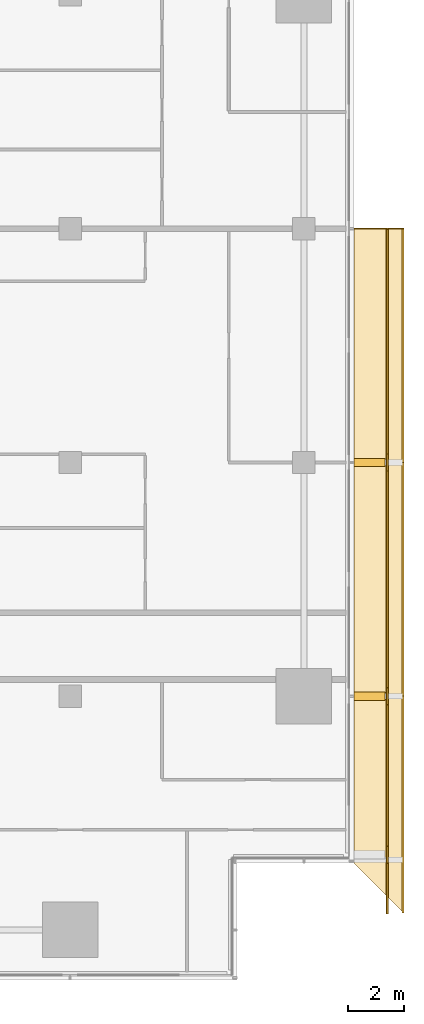
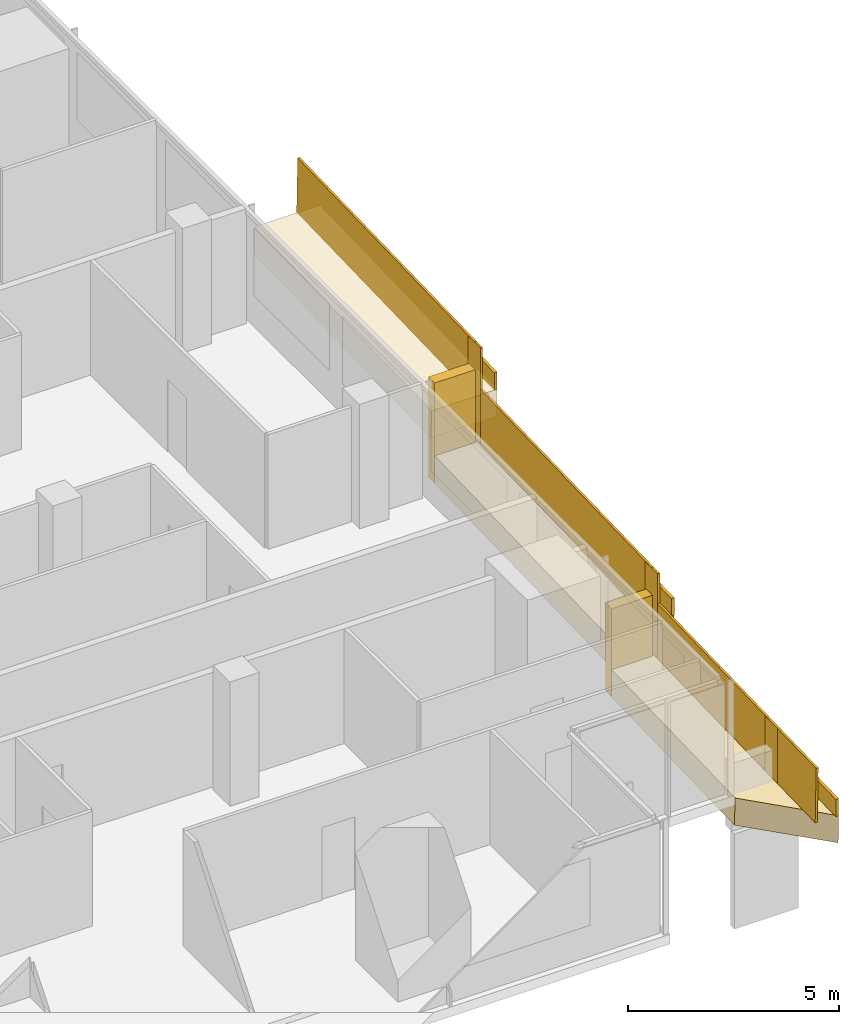
# One storey, part 25 of 25: 8 coverings, 6 railings.
"""IFC4 building model written with IfcOpenShell, lengths in metres."""

from ifc_helpers import new_model, si_unit, direction, frame, origin, origin_2d, place, context, subcontext, project, spatial, polyline, rectangle, outline, extrude, material, layer, layer_set, type_object, element, save


model = new_model("IFC4")

# Units and contexts
model_context = context("Model", 3, precision=1e-05, world=origin(), true_north=direction((0.0, 1.0)))
body_context = subcontext(model_context, "Body", "Model", "MODEL_VIEW")
ifc_project = project(units=[si_unit("LENGTHUNIT", "METRE"), si_unit("AREAUNIT", "SQUARE_METRE"), si_unit("VOLUMEUNIT", "CUBIC_METRE"), si_unit("PLANEANGLEUNIT", "RADIAN"), si_unit("MASSUNIT", "GRAM", prefix="KILO")], contexts=[model_context])

# Site, building, storey
site_placement = place(None, origin())
site = spatial("IfcSite", under=ifc_project, at=site_placement, CompositionType="ELEMENT")
building_placement = place(site_placement, origin())
building = spatial("IfcBuilding", under=site, at=building_placement, Name="Saffron Gate Tower", CompositionType="ELEMENT")
storey_placement = place(building_placement, frame((0.0, 0.0, 131.25)))
storey = spatial("IfcBuildingStorey", under=building, at=storey_placement, Name="L31", CompositionType="ELEMENT", Elevation=131.25)

# Coverings
ifc_material = material(Name="Timber, thermally modified ash", Category="wood")
ifc_layer_1 = layer(ifc_material, 0.800048828125)
ifc_layer_set_1 = layer_set([ifc_layer_1], Name="LD1 ledge timber")
covering_type_1 = type_object("IfcCoveringType", Name="LD1 ledge timber", PredefinedType="CLADDING", material=ifc_layer_set_1)
covering_1_placement = place(storey_placement, frame((127.199951171875, 34.199951171875, -0.07177734375), z_axis=(-2.391759e-05, -0.028789477025, 0.999585496814), x_axis=(1.72e-10, 0.9995854971, 0.028789477033)))
element("IfcCovering", 1, at=covering_1_placement, inside=storey, type_object=covering_type_1, Name="LEDGE", PredefinedType="CLADDING", context=body_context, shape_type="SweptSolid", body=[
    extrude(outline(polyline([(0.0, 0.0), (6.002489288687248, -8.470329472543003e-22), (6.002489288996045, -1.8000488276101398), (-1.800792782710612, -1.8000488299785034), (0.0, 0.0)])), origin(), (0.0, 0.0, -1.0), 0.800048828125),
])
covering_2_placement = place(storey_placement, frame((127.199951171875, 40.199951171875, 0.95849609375), z_axis=(0.0, -0.028790339263, 0.999585472266), x_axis=(0.0, 0.999585472266, 0.028790339263)))
element("IfcCovering", 2, at=covering_2_placement, inside=storey, type_object=covering_type_1, Name="LEDGE", PredefinedType="CLADDING", context=body_context, shape_type="SweptSolid", body=[
    extrude(outline(polyline([(0.0, 0.0), (8.403630022085892, 0.0), (8.403630022085892, -1.800048828125), (0.0, -1.800048828125), (0.0, 0.0)])), origin(), (0.0, 0.0, -1.0), 0.800048828125),
])
covering_3_placement = place(storey_placement, frame((127.199951171875, 48.60009765625, 2.40087890625), z_axis=(0.0, -0.028791175352, 0.999585448184), x_axis=(0.0, 0.999585448184, 0.028791175352)))
element("IfcCovering", 3, at=covering_3_placement, inside=storey, type_object=covering_type_1, Name="LEDGE", PredefinedType="CLADDING", context=body_context, shape_type="SweptSolid", body=[
    extrude(outline(polyline([(0.0, 0.0), (8.403385982666892, 0.0), (8.403385982666892, -1.800048828125), (0.0, -1.800048828125), (0.0, 0.0)])), origin(), (0.0, 0.0, -1.0), 0.800048828125),
])
ifc_layer_2 = layer(ifc_material, 0.080078125)
ifc_layer_set_2 = layer_set([ifc_layer_2], Name="LD2 ledge planter trough")
covering_type_2 = type_object("IfcCoveringType", Name="LD2 ledge planter trough", PredefinedType="CLADDING", material=ifc_layer_set_2)
covering_4_placement = place(storey_placement, frame((129.0, 32.39990234375, -0.12353515625), z_axis=(1.0, 0.0, 0.0), x_axis=(0.0, 0.999585655924, 0.028783962047)))
element("IfcCovering", 4, at=covering_4_placement, inside=storey, type_object=covering_type_2, Name="LEDGE planter trough", PredefinedType="CLADDING", context=body_context, shape_type="SweptSolid", body=[
    extrude(outline(polyline([(0.0, 0.0), (7.803282071825423, 2.7755575615628914e-17), (7.817674052849086, 0.4997928279619612), (0.014391981023662846, 0.4997928279619612), (0.0, 0.0)])), origin(), (0.0, 0.0, -1.0), 0.080078125),
])
covering_5_placement = place(storey_placement, frame((129.0, 40.199951171875, 0.95849609375), z_axis=(1.0, 0.0, 0.0), x_axis=(0.0, 0.999585472266, 0.028790339263)))
element("IfcCovering", 5, at=covering_5_placement, inside=storey, type_object=covering_type_2, Name="LEDGE planter trough", PredefinedType="CLADDING", context=body_context, shape_type="SweptSolid", body=[
    extrude(outline(polyline([(0.0, 0.0), (8.403630022085892, 0.0), (8.418025191717298, 0.4997927361329725), (0.014395169631405694, 0.4997927361329725), (0.0, 0.0)])), origin(), (0.0, 0.0, -1.0), 0.080078125),
])
covering_6_placement = place(storey_placement, frame((129.0, 48.60009765625, 2.40087890625), z_axis=(1.0, 0.0, 0.0), x_axis=(0.0, 0.999585448184, 0.028791175352)))
element("IfcCovering", 6, at=covering_6_placement, inside=storey, type_object=covering_type_2, Name="LEDGE planter trough", PredefinedType="CLADDING", context=body_context, shape_type="SweptSolid", body=[
    extrude(outline(polyline([(0.0, 0.0), (8.403385982666892, 0.0), (8.417781570342743, 0.49979272409216496), (0.014395587675851172, 0.4997927240921649), (0.0, 0.0)])), origin(), (0.0, 0.0, -1.0), 0.080078125),
])
ifc_layer_3 = layer(ifc_material, 0.300048828125)
ifc_layer_set_3 = layer_set([ifc_layer_3], Name="LD3 ledge riser fin")
covering_type_3 = type_object("IfcCoveringType", Name="LD3 ledge riser fin", PredefinedType="CLADDING", material=ifc_layer_set_3)
covering_7_placement = place(storey_placement, frame((127.760009765625, 40.199951171875, -0.69873046875), z_axis=(0.0, 0.0, 1.0), x_axis=(0.0, 1.0, 0.0)))
element("IfcCovering", 7, at=covering_7_placement, inside=storey, type_object=covering_type_3, Name="LEDGE riser fin", PredefinedType="CLADDING", context=body_context, shape_type="SweptSolid", body=[
    extrude(rectangle(XDim=0.300048828125, YDim=1.1201171875, at=origin_2d()), origin(), (0.0, 0.0, 1.0), 2.557373046875),
])
covering_8_placement = place(storey_placement, frame((127.760009765625, 48.60009765625, 0.400390625), z_axis=(0.0, 0.0, 1.0), x_axis=(0.0, 1.0, 0.0)))
element("IfcCovering", 8, at=covering_8_placement, inside=storey, type_object=covering_type_3, Name="LEDGE riser fin", PredefinedType="CLADDING", context=body_context, shape_type="SweptSolid", body=[
    extrude(rectangle(XDim=0.300048828125, YDim=1.1201171875, at=origin_2d()), origin(), (0.0, 0.0, 1.0), 2.900390625),
])

# Railings
railing_type = type_object("IfcRailingType", Name="LG1 ledge balustrade", PredefinedType="BALUSTRADE", material=ifc_material)
railing_1_placement = place(storey_placement, frame((128.39990234375, 32.39990234375, -0.12353515625)))
element("IfcRailing", 9, at=railing_1_placement, inside=storey, type_object=railing_type, Name="LEDGE BALUSTRADE", PredefinedType="BALUSTRADE", context=body_context, shape_type="SweptSolid", body=[
    extrude(rectangle(XDim=0.06005859375, YDim=1.60009765625, at=origin_2d()), frame((0.0, 0.0, 0.800048828125), z_axis=(0.0, 0.999585655924, 0.028783962047), x_axis=(-1.0, 0.0, 0.0)), (0.0, 0.0, 1.0), 7.80322265625),
])
railing_2_placement = place(storey_placement, frame((128.39990234375, 34.199951171875, -0.3291015625)))
element("IfcRailing", 10, at=railing_2_placement, inside=storey, type_object=railing_type, Name="LEDGE BALUSTRADE", PredefinedType="BALUSTRADE", context=body_context, shape_type="SweptSolid", body=[
    extrude(rectangle(XDim=0.06005859375, YDim=1.857177734375, at=origin_2d()), frame((0.0, 0.0, 0.9287109375), z_axis=(0.0, 1.0, 0.0), x_axis=(-1.0, 0.0, 0.0)), (0.0, 0.0, 1.0), 0.60009765625),
])
railing_3_placement = place(storey_placement, frame((128.39990234375, 40.199951171875, 0.95849609375)))
element("IfcRailing", 11, at=railing_3_placement, inside=storey, type_object=railing_type, Name="LEDGE BALUSTRADE", PredefinedType="BALUSTRADE", context=body_context, shape_type="SweptSolid", body=[
    extrude(rectangle(XDim=0.06005859375, YDim=1.60009765625, at=origin_2d()), frame((0.0, 0.0, 0.800048828125), z_axis=(0.0, 0.999585472266, 0.028790339263), x_axis=(-1.0, 0.0, 0.0)), (0.0, 0.0, 1.0), 8.403564453125),
])
railing_4_placement = place(storey_placement, frame((128.39990234375, 39.89990234375, 0.10107421875)))
element("IfcRailing", 12, at=railing_4_placement, inside=storey, type_object=railing_type, Name="LEDGE BALUSTRADE", PredefinedType="BALUSTRADE", context=body_context, shape_type="SweptSolid", body=[
    extrude(rectangle(XDim=0.06005859375, YDim=2.45751953125, at=origin_2d()), frame((0.0, 0.0, 1.228759765625), z_axis=(0.0, 1.0, 0.0), x_axis=(-1.0, 0.0, 0.0)), (0.0, 0.0, 1.0), 0.60009765625),
])
railing_5_placement = place(storey_placement, frame((128.39990234375, 48.60009765625, 2.40087890625)))
element("IfcRailing", 13, at=railing_5_placement, inside=storey, type_object=railing_type, Name="LEDGE BALUSTRADE", PredefinedType="BALUSTRADE", context=body_context, shape_type="SweptSolid", body=[
    extrude(rectangle(XDim=0.06005859375, YDim=1.60009765625, at=origin_2d()), frame((0.0, 0.0, 0.800048828125), z_axis=(0.0, 0.999585448184, 0.028791175352), x_axis=(-1.0, 0.0, 0.0)), (0.0, 0.0, 1.0), 8.4033203125),
])
railing_6_placement = place(storey_placement, frame((128.39990234375, 48.300048828125, 1.200439453125)))
element("IfcRailing", 14, at=railing_6_placement, inside=storey, type_object=railing_type, Name="LEDGE BALUSTRADE", PredefinedType="BALUSTRADE", context=body_context, shape_type="SweptSolid", body=[
    extrude(rectangle(XDim=0.06005859375, YDim=2.80029296875, at=origin_2d()), frame((0.0, 0.0, 1.400146484375), z_axis=(0.0, 1.0, 0.0), x_axis=(-1.0, 0.0, 0.0)), (0.0, 0.0, 1.0), 0.599853515625),
])

save(model, "model.ifc")
